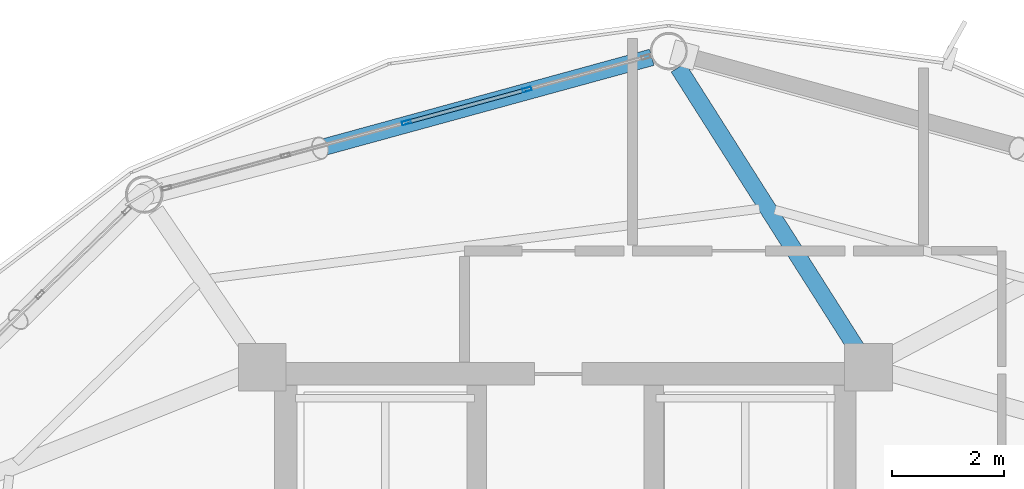
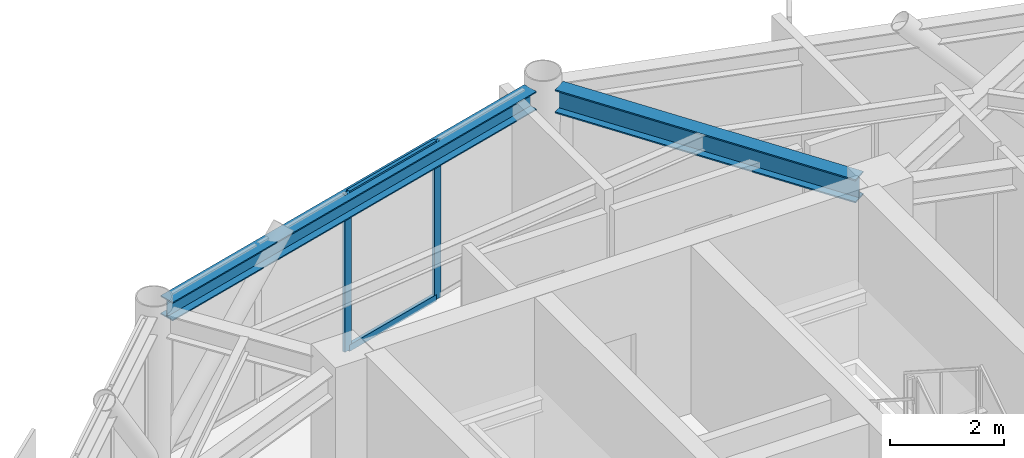
# One storey, part 19 of 28: 4 members, 2 beams, 1 element without a shape of its own.
"""IFC4 building model written with IfcOpenShell, lengths in metres."""

from ifc_helpers import new_model, si_unit, direction, frame, origin, origin_2d, place, context, subcontext, project, spatial, hollow_rectangle, i_section, extrude, material, layer, layer_set, material_profile, profile_set, type_object, element, aggregate, save


model = new_model("IFC4")

# Units and contexts
model_context = context("Model", 3, precision=1e-05, world=origin(), true_north=direction((0.0, 1.0)))
body_context = subcontext(model_context, "Body", "Model", "MODEL_VIEW")
ifc_project = project(units=[si_unit("LENGTHUNIT", "METRE"), si_unit("AREAUNIT", "SQUARE_METRE"), si_unit("VOLUMEUNIT", "CUBIC_METRE"), si_unit("PLANEANGLEUNIT", "RADIAN"), si_unit("MASSUNIT", "GRAM", prefix="KILO")], contexts=[model_context])

# Site, building, storey
site_placement = place(None, origin())
site = spatial("IfcSite", under=ifc_project, at=site_placement, CompositionType="ELEMENT")
building_placement = place(site_placement, origin())
building = spatial("IfcBuilding", under=site, at=building_placement, Name="Varnakorn Sky Granary", CompositionType="ELEMENT")
storey_placement = place(building_placement, frame((0.0, 0.0, 225.60009765625)))
storey = spatial("IfcBuildingStorey", under=building, at=storey_placement, Name="L57", CompositionType="ELEMENT", Elevation=225.60009765625)

# Beams
ifc_material_1 = material(Name="Steel S355JR", Category="steel")
ifc_material_profile_1 = material_profile(ifc_material_1, i_section(OverallWidth=0.300048828125, OverallDepth=0.5, WebThickness=0.014404296875, FlangeThickness=0.028076171875, at=origin_2d()), Name="HE 500 B")
ifc_profile_set_1 = profile_set([ifc_material_profile_1], Name="Steel S355JR")
beam_type_1 = type_object("IfcBeamType", Name="BM-RAD-Z4", PredefinedType="BEAM", material=ifc_profile_set_1)
beam_1_placement = place(storey_placement, frame((8.202880859375, 12.9619140625, 3.10986328125), z_axis=(-0.536066723355, 0.844175614497, 0.0), x_axis=(-0.844175614497, -0.536066723355, 0.0)))
element("IfcBeam", 1, at=beam_1_placement, inside=storey, type_object=beam_type_1, Name="Radial Floor Girder RG04 L57", PredefinedType="BEAM", context=body_context, shape_type="SweptSolid", body=[
    extrude(i_section(OverallWidth=0.300048828125, OverallDepth=0.5, WebThickness=0.014404296875, FlangeThickness=0.028076171875, at=origin_2d()), origin(), (0.0, 0.0, 1.0), 5.939697265625),
])
ifc_material_profile_2 = material_profile(ifc_material_1, i_section(OverallWidth=0.300048828125, OverallDepth=0.39990234375, WebThickness=0.013427734375, FlangeThickness=0.02392578125, at=origin_2d()), Name="HE 400 B")
ifc_profile_set_2 = profile_set([ifc_material_profile_2], Name="Steel S355JR")
beam_type_2 = type_object("IfcBeamType", Name="BM-SPD-Z4", PredefinedType="SPANDREL", material=ifc_profile_set_2)
beam_2_placement = place(storey_placement, frame((4.546142578125, 18.15869140625, 3.159912109375), z_axis=(-0.964479816997, -0.264156549426, 0.0), x_axis=(0.264156549426, -0.964479816997, 0.0)))
element("IfcBeam", 2, at=beam_2_placement, inside=storey, type_object=beam_type_2, Name="Perimeter Spandrel Ring Beam RB04 L57", PredefinedType="SPANDREL", context=body_context, shape_type="SweptSolid", body=[
    extrude(i_section(OverallWidth=0.300048828125, OverallDepth=0.39990234375, WebThickness=0.013427734375, FlangeThickness=0.02392578125, at=origin_2d()), origin(), (0.0, 0.0, 1.0), 9.06396484375),
])

# Curtain wall, members
ifc_material_2 = material(Name="Anodised Bronze Aluminium Alloy 6063-T6", Category="aluminium")
ifc_layer = layer(ifc_material_2, 0.169921875, Name="Anodised Bronze Aluminium Alloy 6063-T6")
ifc_layer_set = layer_set([ifc_layer], Name="Anodised Bronze Aluminium Alloy 6063-T6")
curtain_wall_type = type_object("IfcCurtainWallType", Name="CW-LAB-1", PredefinedType="USERDEFINED", material=ifc_layer_set)
curtain_wall_placement = place(storey_placement, origin())
curtain_wall = element("IfcCurtainWall", 3, at=curtain_wall_placement, inside=storey, type_object=curtain_wall_type, Name="Unitised Curtain Wall CW5 CW-L57-B04", ObjectType="CURTAIN WALL", PredefinedType="USERDEFINED")
ifc_material_profile_3 = material_profile(ifc_material_2, hollow_rectangle(XDim=0.06494140625, YDim=0.159912109375, WallThickness=0.00341796875, at=origin_2d()), Name="ALU MULL 65x160")
ifc_profile_set_3 = profile_set([ifc_material_profile_3], Name="Anodised Bronze Aluminium Alloy 6063-T6")
member_type_1 = type_object("IfcMemberType", Name="CW-LAB-1-MULL", PredefinedType="MULLION", material=ifc_profile_set_3)
member_1_placement = place(storey_placement, frame((0.158203125, 16.993408203125, 0.0), z_axis=(0.0, 0.0, 1.0), x_axis=(-0.263727295767, 0.964597280458, 0.0)))
member_1 = element("IfcMember", 4, at=member_1_placement, type_object=member_type_1, Name="CW5 mullion 3", PredefinedType="MULLION", context=body_context, shape_type="SweptSolid", body=[
    extrude(hollow_rectangle(XDim=0.06494140625, YDim=0.159912109375, WallThickness=0.00341796875, at=origin_2d()), origin(), (0.0, 0.0, 1.0), 3.35986328125),
])
member_2_placement = place(storey_placement, frame((2.31591796875, 17.583251953125, 0.0), z_axis=(0.0, 0.0, 1.0), x_axis=(-0.263727295767, 0.964597280458, 0.0)))
member_2 = element("IfcMember", 5, at=member_2_placement, type_object=member_type_1, Name="CW5 mullion 4", PredefinedType="MULLION", context=body_context, shape_type="SweptSolid", body=[
    extrude(hollow_rectangle(XDim=0.06494140625, YDim=0.159912109375, WallThickness=0.00341796875, at=origin_2d()), origin(), (0.0, 0.0, 1.0), 3.35986328125),
])
ifc_material_profile_4 = material_profile(ifc_material_2, hollow_rectangle(XDim=0.070068359375, YDim=0.139892578125, WallThickness=0.00341796875, at=origin_2d()), Name="ALU TRAN 70x140")
ifc_profile_set_4 = profile_set([ifc_material_profile_4], Name="Anodised Bronze Aluminium Alloy 6063-T6")
member_type_2 = type_object("IfcMemberType", Name="CW-LAB-1-TRAN", PredefinedType="USERDEFINED", material=ifc_profile_set_4)
member_3_placement = place(storey_placement, frame((0.189697265625, 17.001953125, 0.034912109375), z_axis=(0.964600206597, 0.263716593017, 0.0), x_axis=(-0.263716593017, 0.964600206597, 0.0)))
member_3 = element("IfcMember", 6, at=member_3_placement, type_object=member_type_2, Name="CW5 transom 3.1", ObjectType="TRANSOM", PredefinedType="USERDEFINED", context=body_context, shape_type="SweptSolid", body=[
    extrude(hollow_rectangle(XDim=0.070068359375, YDim=0.139892578125, WallThickness=0.00341796875, at=origin_2d()), origin(), (0.0, 0.0, 1.0), 2.171875),
])
member_4_placement = place(storey_placement, frame((0.189697265625, 17.001953125, 3.324951171875), z_axis=(0.964600206597, 0.263716593017, 0.0), x_axis=(-0.263716593017, 0.964600206597, 0.0)))
member_4 = element("IfcMember", 7, at=member_4_placement, type_object=member_type_2, Name="CW5 transom 3.2", ObjectType="TRANSOM", PredefinedType="USERDEFINED", context=body_context, shape_type="SweptSolid", body=[
    extrude(hollow_rectangle(XDim=0.070068359375, YDim=0.139892578125, WallThickness=0.00341796875, at=origin_2d()), origin(), (0.0, 0.0, 1.0), 2.171875),
])
aggregate(curtain_wall, [member_1, member_2, member_3, member_4])

save(model, "model.ifc")
